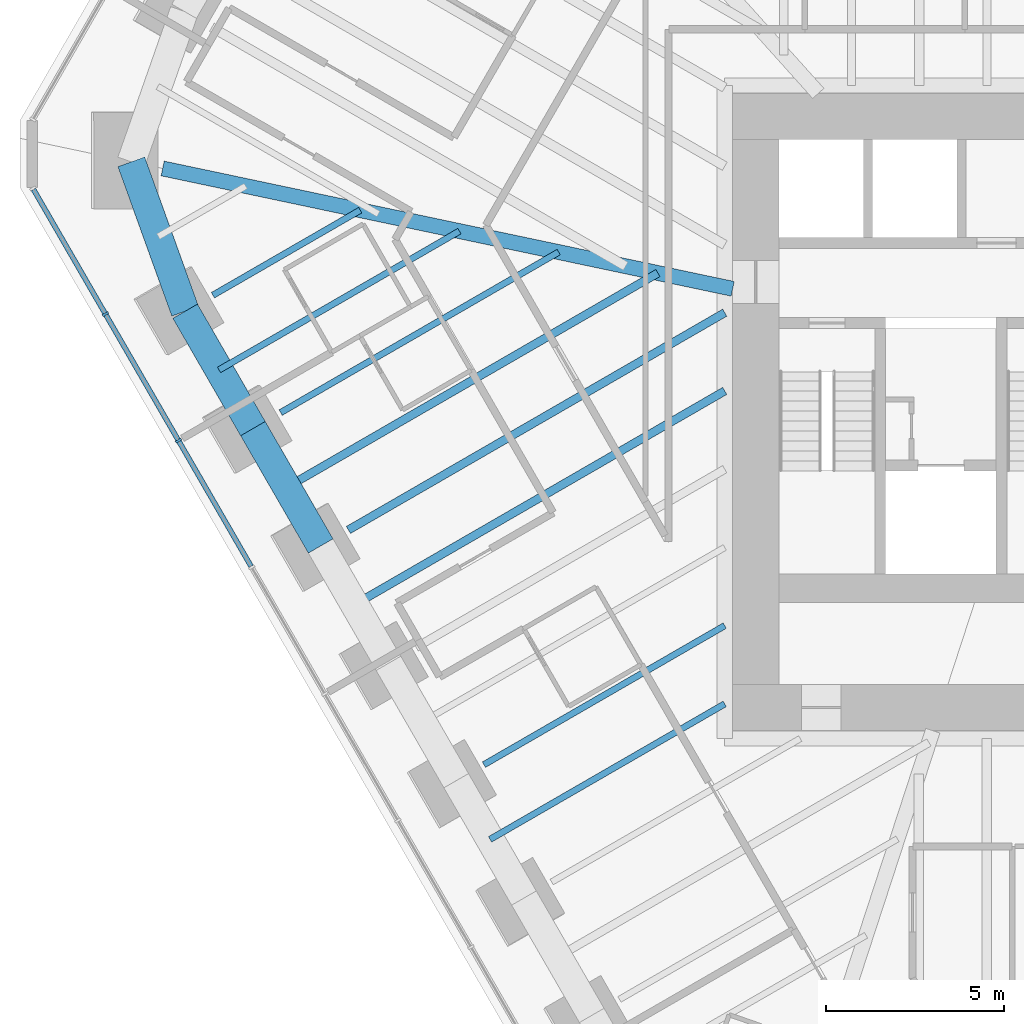
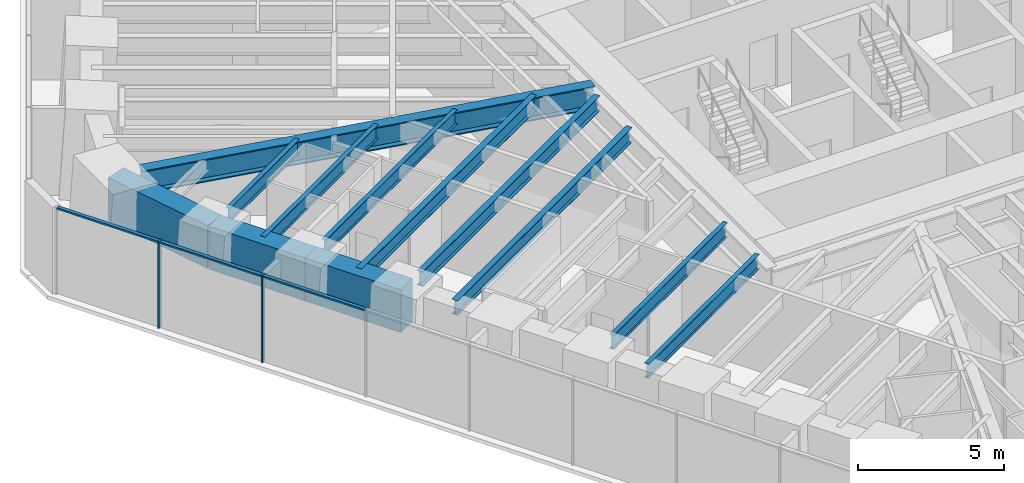
# One storey, part 3 of 17: 12 beams, 5 members, 1 element without a shape of its own.
"""IFC4 building model written with IfcOpenShell, lengths in metres."""

from ifc_helpers import new_model, si_unit, direction, frame, origin, origin_2d, place, context, subcontext, project, spatial, rectangle, i_section, extrude, material, material_profile, profile_set, type_object, element, aggregate, save


model = new_model("IFC4")

# Units and contexts
model_context = context("Model", 3, precision=1e-05, world=origin(), true_north=direction((0.0, 1.0)))
body_context = subcontext(model_context, "Body", "Model", "MODEL_VIEW")
ifc_project = project(units=[si_unit("LENGTHUNIT", "METRE"), si_unit("AREAUNIT", "SQUARE_METRE"), si_unit("VOLUMEUNIT", "CUBIC_METRE"), si_unit("PLANEANGLEUNIT", "RADIAN"), si_unit("MASSUNIT", "GRAM", prefix="KILO")], contexts=[model_context])

# Site, building, storey
site_placement = place(None, origin())
site = spatial("IfcSite", under=ifc_project, at=site_placement, CompositionType="ELEMENT")
building_placement = place(site_placement, origin())
building = spatial("IfcBuilding", under=site, at=building_placement, Name="Sandreach Pilgrim Tower", CompositionType="ELEMENT")
storey_placement = place(building_placement, frame((0.0, 0.0, 161.39990234375)))
storey = spatial("IfcBuildingStorey", under=building, at=storey_placement, Name="L40", CompositionType="ELEMENT", Elevation=161.39990234375)

# Curtain wall, members
ifc_material_1 = material(Name="Aluminium framed curtain wall", Category="aluminium")
curtain_wall_type = type_object("IfcCurtainWallType", Name="Hotel tower curtain wall", PredefinedType="NOTDEFINED", material=ifc_material_1)
curtain_wall_placement = place(storey_placement, origin())
curtain_wall = element("IfcCurtainWall", 1, at=curtain_wall_placement, inside=storey, type_object=curtain_wall_type, Name="CW-2 L40 SW", PredefinedType="NOTDEFINED")
ifc_material_2 = material(Name="Aluminium extrusion", Category="aluminium")
ifc_material_profile_1 = material_profile(ifc_material_2, rectangle(XDim=0.06494140625, YDim=0.179931640625, at=origin_2d()), Name="CW-2M 65X180")
ifc_profile_set_1 = profile_set([ifc_material_profile_1], Name="Aluminium extrusion")
member_type_1 = type_object("IfcMemberType", Name="CW-2 mullion", PredefinedType="MULLION", material=ifc_profile_set_1)
member_1_placement = place(storey_placement, frame((-24.614013671875, -2.35498046875, 0.0), z_axis=(0.0, 0.0, 1.0), x_axis=(-0.5, 0.866025403784, 0.0)))
member_1 = element("IfcMember", 2, at=member_1_placement, type_object=member_type_1, Name="CW-2 mullion 8", PredefinedType="MULLION", context=body_context, shape_type="SweptSolid", body=[
    extrude(rectangle(XDim=0.06494140625, YDim=0.179931640625, at=origin_2d()), origin(), (0.0, 0.0, 1.0), 3.64013671875),
])
member_2_placement = place(storey_placement, frame((-26.66748046875, 1.20166015625, 0.0), z_axis=(0.0, 0.0, 1.0), x_axis=(-0.5, 0.866025403784, 0.0)))
member_2 = element("IfcMember", 3, at=member_2_placement, type_object=member_type_1, Name="CW-2 mullion 9", PredefinedType="MULLION", context=body_context, shape_type="SweptSolid", body=[
    extrude(rectangle(XDim=0.06494140625, YDim=0.179931640625, at=origin_2d()), origin(), (0.0, 0.0, 1.0), 3.64013671875),
])
ifc_material_3 = material(Name="Aluminium extrusion", Category="aluminium")
ifc_material_profile_2 = material_profile(ifc_material_3, rectangle(XDim=0.139892578125, YDim=0.070068359375, at=origin_2d()), Name="CW-2T 140X70")
ifc_profile_set_2 = profile_set([ifc_material_profile_2], Name="Aluminium extrusion")
member_type_2 = type_object("IfcMemberType", Name="CW-2 transom", PredefinedType="USERDEFINED", material=ifc_profile_set_2)
member_3_placement = place(storey_placement, frame((-22.57666015625, -5.883544921875, 3.60498046875), z_axis=(-0.500023973715, 0.866011562111, 0.0), x_axis=(-0.866011562111, -0.500023973715, 0.0)))
member_3 = element("IfcMember", 4, at=member_3_placement, type_object=member_type_2, Name="CW-2 head transom 7", ObjectType="TRANSOM", PredefinedType="USERDEFINED", context=body_context, shape_type="SweptSolid", body=[
    extrude(rectangle(XDim=0.139892578125, YDim=0.070068359375, at=origin_2d()), origin(), (0.0, 0.0, 1.0), 4.041748046875),
])
member_4_placement = place(storey_placement, frame((-24.630126953125, -2.326904296875, 3.60498046875), z_axis=(-0.499997818338, 0.866026663364, 0.0), x_axis=(-0.866026663364, -0.499997818338, 0.0)))
member_4 = element("IfcMember", 5, at=member_4_placement, type_object=member_type_2, Name="CW-2 head transom 8", ObjectType="TRANSOM", PredefinedType="USERDEFINED", context=body_context, shape_type="SweptSolid", body=[
    extrude(rectangle(XDim=0.139892578125, YDim=0.070068359375, at=origin_2d()), origin(), (0.0, 0.0, 1.0), 4.0419921875),
])
member_5_placement = place(storey_placement, frame((-26.68359375, 1.229736328125, 3.60498046875), z_axis=(-0.500015851672, 0.866016251624, 0.0), x_axis=(-0.866016251624, -0.500015851672, 0.0)))
member_5 = element("IfcMember", 6, at=member_5_placement, type_object=member_type_2, Name="CW-2 head transom 9", ObjectType="TRANSOM", PredefinedType="USERDEFINED", context=body_context, shape_type="SweptSolid", body=[
    extrude(rectangle(XDim=0.139892578125, YDim=0.070068359375, at=origin_2d()), origin(), (0.0, 0.0, 1.0), 4.009521484375),
])
aggregate(curtain_wall, [member_1, member_2, member_3, member_4, member_5])

# Beams
ifc_material_4 = material(Name="Steel ASTM A992 Grade 50", Category="steel")
ifc_material_profile_3 = material_profile(ifc_material_4, i_section(OverallWidth=0.421630859375, OverallDepth=0.95751953125, WebThickness=0.02587890625, FlangeThickness=0.046875, at=origin_2d()), Name="W36X330")
ifc_profile_set_3 = profile_set([ifc_material_profile_3], Name="Steel ASTM A992 Grade 50")
beam_type_1 = type_object("IfcBeamType", Name="Corner girder W36X330", PredefinedType="BEAM", material=ifc_profile_set_3)
beam_1_placement = place(storey_placement, frame((-25.06005859375, 5.291015625, 3.161376953125), z_axis=(0.978428353418, -0.206586440085, 0.0), x_axis=(0.206586440085, 0.978428353418, 0.0)))
element("IfcBeam", 7, at=beam_1_placement, inside=storey, type_object=beam_type_1, Name="BM L40 CG35", PredefinedType="BEAM", context=body_context, shape_type="SweptSolid", body=[
    extrude(i_section(OverallWidth=0.421630859375, OverallDepth=0.95751953125, WebThickness=0.02587890625, FlangeThickness=0.046875, at=origin_2d()), origin(), (0.0, 0.0, 1.0), 16.363037109375),
])
ifc_material_5 = material(Name="Steel ASTM A992 Grade 50", Category="steel")
ifc_material_profile_4 = material_profile(ifc_material_5, i_section(OverallWidth=0.1787109375, OverallDepth=0.60205078125, WebThickness=0.010986328125, FlangeThickness=0.014892578125, at=origin_2d()), Name="W24X62")
ifc_profile_set_4 = profile_set([ifc_material_profile_4], Name="Steel ASTM A992 Grade 50")
beam_type_2 = type_object("IfcBeamType", Name="Floor beam W24X62", PredefinedType="BEAM", material=ifc_profile_set_4)
beam_2_placement = place(storey_placement, frame((-16.035400390625, -11.455810546875, 3.339111328125), z_axis=(0.866029931811, 0.499992157145, 0.0), x_axis=(-0.499992157145, 0.866029931811, 0.0)))
element("IfcBeam", 8, at=beam_2_placement, inside=storey, type_object=beam_type_2, Name="BM L40 F30", PredefinedType="BEAM", context=body_context, shape_type="SweptSolid", body=[
    extrude(i_section(OverallWidth=0.1787109375, OverallDepth=0.60205078125, WebThickness=0.010986328125, FlangeThickness=0.014892578125, at=origin_2d()), origin(), (0.0, 0.0, 1.0), 7.809814453125),
])
beam_3_placement = place(storey_placement, frame((-21.7451171875, -1.56591796875, 3.339111328125), z_axis=(0.866025063885, 0.500000588723, 0.0), x_axis=(-0.500000588723, 0.866025063885, 0.0)))
element("IfcBeam", 9, at=beam_3_placement, inside=storey, type_object=beam_type_2, Name="BM L40 F33", PredefinedType="BEAM", context=body_context, shape_type="SweptSolid", body=[
    extrude(i_section(OverallWidth=0.1787109375, OverallDepth=0.60205078125, WebThickness=0.010986328125, FlangeThickness=0.014892578125, at=origin_2d()), origin(), (0.0, 0.0, 1.0), 9.0166015625),
])
beam_4_placement = place(storey_placement, frame((-23.6484375, 1.73046875, 3.339111328125), z_axis=(0.866011131494, 0.500024719518, 0.0), x_axis=(-0.500024719518, 0.866011131494, 0.0)))
element("IfcBeam", 10, at=beam_4_placement, inside=storey, type_object=beam_type_2, Name="BM L40 F34", PredefinedType="BEAM", context=body_context, shape_type="SweptSolid", body=[
    extrude(i_section(OverallWidth=0.1787109375, OverallDepth=0.60205078125, WebThickness=0.010986328125, FlangeThickness=0.014892578125, at=origin_2d()), origin(), (0.0, 0.0, 1.0), 4.777587890625),
])
beam_5_placement = place(storey_placement, frame((-15.86328125, -13.553955078125, 3.339111328125), z_axis=(0.866043496152, 0.499968661791, 0.0), x_axis=(-0.499968661791, 0.866043496152, 0.0)))
element("IfcBeam", 11, at=beam_5_placement, inside=storey, type_object=beam_type_2, Name="BM L40 FM29", PredefinedType="BEAM", context=body_context, shape_type="SweptSolid", body=[
    extrude(i_section(OverallWidth=0.1787109375, OverallDepth=0.60205078125, WebThickness=0.010986328125, FlangeThickness=0.014892578125, at=origin_2d()), origin(), (0.0, 0.0, 1.0), 7.61083984375),
])
beam_6_placement = place(storey_placement, frame((-23.476318359375, -0.36767578125, 3.339111328125), z_axis=(0.866024469579, 0.500001618088, 0.0), x_axis=(-0.500001618088, 0.866024469579, 0.0)))
element("IfcBeam", 12, at=beam_6_placement, inside=storey, type_object=beam_type_2, Name="BM L40 FM33", PredefinedType="BEAM", context=body_context, shape_type="SweptSolid", body=[
    extrude(i_section(OverallWidth=0.1787109375, OverallDepth=0.60205078125, WebThickness=0.010986328125, FlangeThickness=0.014892578125, at=origin_2d()), origin(), (0.0, 0.0, 1.0), 7.79736328125),
])
ifc_material_6 = material(Name="Steel ASTM A992 Grade 50", Category="steel")
ifc_material_profile_5 = material_profile(ifc_material_6, i_section(OverallWidth=0.23046875, OverallDepth=0.6171875, WebThickness=0.01318359375, FlangeThickness=0.022216796875, at=origin_2d()), Name="W24X94")
ifc_profile_set_5 = profile_set([ifc_material_profile_5], Name="Steel ASTM A992 Grade 50")
beam_type_3 = type_object("IfcBeamType", Name="Floor beam W24X94", PredefinedType="BEAM", material=ifc_profile_set_5)
beam_7_placement = place(storey_placement, frame((-19.842041015625, -4.862548828125, 3.33154296875), z_axis=(0.866028694325, 0.499994300574, 0.0), x_axis=(-0.499994300574, 0.866028694325, 0.0)))
element("IfcBeam", 13, at=beam_7_placement, inside=storey, type_object=beam_type_3, Name="BM L40 F32", PredefinedType="BEAM", context=body_context, shape_type="SweptSolid", body=[
    extrude(i_section(OverallWidth=0.23046875, OverallDepth=0.6171875, WebThickness=0.01318359375, FlangeThickness=0.022216796875, at=origin_2d()), origin(), (0.0, 0.0, 1.0), 12.205322265625),
])
beam_8_placement = place(storey_placement, frame((-19.669677734375, -6.9609375, 3.33154296875), z_axis=(0.866023384022, 0.500003498315, 0.0), x_axis=(-0.500003498315, 0.866023384022, 0.0)))
element("IfcBeam", 14, at=beam_8_placement, inside=storey, type_object=beam_type_3, Name="BM L40 FM31", PredefinedType="BEAM", context=body_context, shape_type="SweptSolid", body=[
    extrude(i_section(OverallWidth=0.23046875, OverallDepth=0.6171875, WebThickness=0.01318359375, FlangeThickness=0.022216796875, at=origin_2d()), origin(), (0.0, 0.0, 1.0), 12.00634765625),
])
beam_9_placement = place(storey_placement, frame((-21.572998046875, -3.664306640625, 3.33154296875), z_axis=(0.866021425885, 0.500006889861, 0.0), x_axis=(-0.500006889861, 0.866021425885, 0.0)))
element("IfcBeam", 15, at=beam_9_placement, inside=storey, type_object=beam_type_3, Name="BM L40 FM32", PredefinedType="BEAM", context=body_context, shape_type="SweptSolid", body=[
    extrude(i_section(OverallWidth=0.23046875, OverallDepth=0.6171875, WebThickness=0.01318359375, FlangeThickness=0.022216796875, at=origin_2d()), origin(), (0.0, 0.0, 1.0), 12.036376953125),
])
ifc_material_7 = material(Name="Concrete 10000 psi", Category="concrete")
ifc_material_profile_6 = material_profile(ifc_material_7, rectangle(XDim=0.800048828125, YDim=1.800048828125, at=origin_2d()), Name="RC800X1800")
ifc_profile_set_6 = profile_set([ifc_material_profile_6], Name="Concrete 10000 psi")
beam_type_4 = type_object("IfcBeamType", Name="Spandrel beam RC800X1800", PredefinedType="SPANDREL", material=ifc_profile_set_6)
beam_10_placement = place(storey_placement, frame((-20.621337890625, -5.3125, 2.739990234375), z_axis=(-0.500029664053, 0.866008276558, 0.0), x_axis=(-0.866008276558, -0.500029664053, 0.0)))
element("IfcBeam", 16, at=beam_10_placement, inside=storey, type_object=beam_type_4, Name="BM L40 SP32", PredefinedType="SPANDREL", context=body_context, shape_type="SweptSolid", body=[
    extrude(rectangle(XDim=0.800048828125, YDim=1.800048828125, at=origin_2d()), origin(), (0.0, 0.0, 1.0), 3.806396484375),
])
beam_11_placement = place(storey_placement, frame((-22.524658203125, -2.01611328125, 2.739990234375), z_axis=(-0.500001891126, 0.866024311939, 0.0), x_axis=(-0.866024311939, -0.500001891126, 0.0)))
element("IfcBeam", 17, at=beam_11_placement, inside=storey, type_object=beam_type_4, Name="BM L40 SP33", PredefinedType="SPANDREL", context=body_context, shape_type="SweptSolid", body=[
    extrude(rectangle(XDim=0.800048828125, YDim=1.800048828125, at=origin_2d()), origin(), (0.0, 0.0, 1.0), 3.806640625),
])
beam_12_placement = place(storey_placement, frame((-24.427978515625, 1.280517578125, 2.739990234375), z_axis=(-0.339122566073, 0.940742199107, 0.0), x_axis=(-0.940742199107, -0.339122566073, 0.0)))
element("IfcBeam", 18, at=beam_12_placement, inside=storey, type_object=beam_type_4, Name="BM L40 SP34", PredefinedType="SPANDREL", context=body_context, shape_type="SweptSolid", body=[
    extrude(rectangle(XDim=0.800048828125, YDim=1.800048828125, at=origin_2d()), origin(), (0.0, 0.0, 1.0), 4.460693359375),
])

save(model, "model.ifc")
